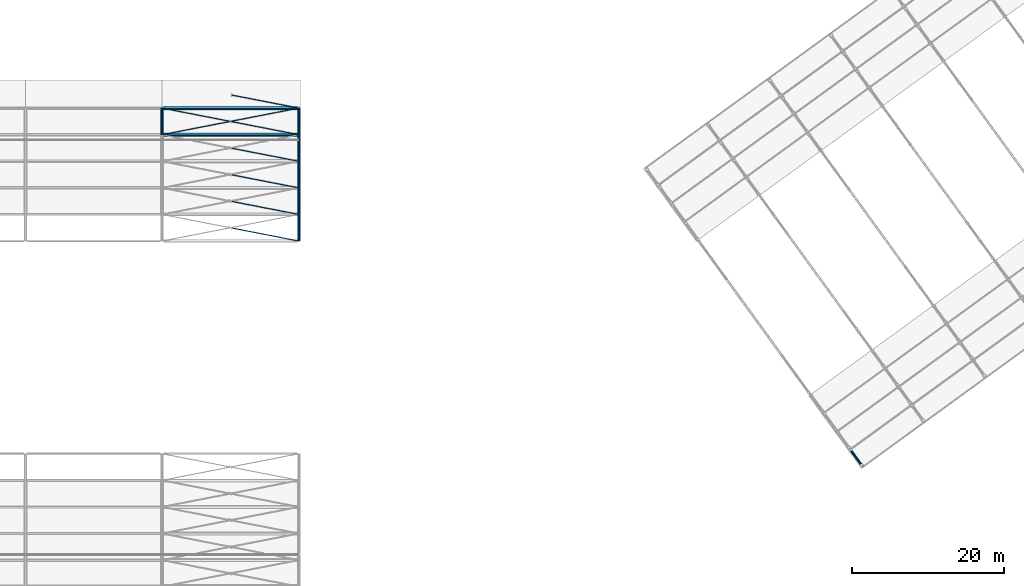
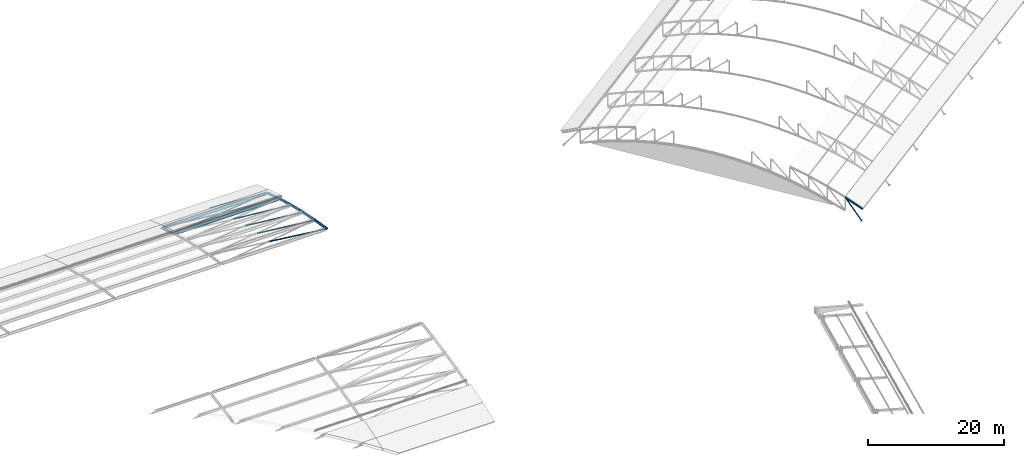
# One storey, part 13 of 69: 18 members.
"""IFC4 building model written with IfcOpenShell, lengths in metres."""

from ifc_helpers import new_model, si_unit, direction, frame, origin, origin_2d, place, context, subcontext, project, spatial, hollow_circle, i_section, extrude, material, material_profile, profile_set, type_object, element, save


model = new_model("IFC4")

# Units and contexts
model_context = context("Model", 3, precision=1e-05, world=origin(), true_north=direction((0.0, 1.0)))
body_context = subcontext(model_context, "Body", "Model", "MODEL_VIEW")
ifc_project = project(units=[si_unit("LENGTHUNIT", "METRE"), si_unit("AREAUNIT", "SQUARE_METRE"), si_unit("VOLUMEUNIT", "CUBIC_METRE"), si_unit("PLANEANGLEUNIT", "RADIAN"), si_unit("MASSUNIT", "GRAM", prefix="KILO")], contexts=[model_context])

# Site, building, storey
site_placement = place(None, origin())
site = spatial("IfcSite", under=ifc_project, at=site_placement, CompositionType="ELEMENT")
building_placement = place(site_placement, origin())
building = spatial("IfcBuilding", under=site, at=building_placement, Name="Okhra Congress Centre", CompositionType="ELEMENT")
storey_placement = place(building_placement, frame((0.0, 0.0, 16.800048828125)))
storey = spatial("IfcBuildingStorey", under=building, at=storey_placement, Name="L03", CompositionType="ELEMENT", Elevation=16.800048828125)

# Members
ifc_material_1 = material(Name="Steel S355J2H", Category="steel")
ifc_material_profile_1 = material_profile(ifc_material_1, hollow_circle(Radius=0.06982421875, WallThickness=0.00634765625, at=origin_2d()), Name="CHS 139.7x6.3")
ifc_profile_set_1 = profile_set([ifc_material_profile_1], Name="Steel S355J2H")
member_type_1 = type_object("IfcMemberType", Name="CHS 139.7x6.3", PredefinedType="BRACE", material=ifc_profile_set_1)
member_1_placement = place(storey_placement, frame((153.814453125, 188.0361328125, 4.994384765625), z_axis=(-0.981148388072, 0.190769623937, -0.030899695256), x_axis=(-0.190860761781, -0.981617119661, 0.0)))
element("IfcMember", 1, at=member_1_placement, inside=storey, type_object=member_type_1, Name="EH.MEM.L03.XB7-17-2a", PredefinedType="BRACE", context=body_context, shape_type="SweptSolid", body=[
    extrude(hollow_circle(Radius=0.06982421875, WallThickness=0.00634765625, at=origin_2d()), origin(), (0.0, 0.0, 1.0), 8.817626953125),
])
member_2_placement = place(storey_placement, frame((153.814453125, 191.5361328125, 4.42626953125), z_axis=(-0.980907961626, 0.190723646725, -0.038000807859), x_axis=(-0.190861504377, -0.981616975274, 0.0)))
element("IfcMember", 2, at=member_2_placement, inside=storey, type_object=member_type_1, Name="EH.MEM.L03.XB7-18-2a", PredefinedType="BRACE", context=body_context, shape_type="SweptSolid", body=[
    extrude(hollow_circle(Radius=0.06982421875, WallThickness=0.00634765625, at=origin_2d()), origin(), (0.0, 0.0, 1.0), 8.821044921875),
])
member_3_placement = place(storey_placement, frame((153.814453125, 195.0361328125, 3.7275390625), z_axis=(-0.98061091853, 0.190666660568, -0.045259816699), x_axis=(-0.190862246763, -0.981616830928, 0.0)))
element("IfcMember", 3, at=member_3_placement, inside=storey, type_object=member_type_1, Name="EH.MEM.L03.XB7-19-2a", PredefinedType="BRACE", context=body_context, shape_type="SweptSolid", body=[
    extrude(hollow_circle(Radius=0.06982421875, WallThickness=0.00634765625, at=origin_2d()), origin(), (0.0, 0.0, 1.0), 8.824951171875),
])
member_4_placement = place(storey_placement, frame((153.814453125, 198.5361328125, 2.895263671875), z_axis=(-0.980256075454, 0.190587683076, -0.052672208945), x_axis=(-0.190852614039, -0.981618703833, 0.0)))
element("IfcMember", 4, at=member_4_placement, inside=storey, type_object=member_type_1, Name="EH.MEM.L03.XB7-20-2a", PredefinedType="BRACE", context=body_context, shape_type="SweptSolid", body=[
    extrude(hollow_circle(Radius=0.06982421875, WallThickness=0.00634765625, at=origin_2d()), origin(), (0.0, 0.0, 1.0), 8.829833984375),
])
member_5_placement = place(storey_placement, frame((136.185546875, 202.0361328125, 1.92626953125), z_axis=(0.97982688214, 0.190515862858, -0.06035716225), x_axis=(-0.190863837306, 0.981616521667, 0.0)))
element("IfcMember", 5, at=member_5_placement, inside=storey, type_object=member_type_1, Name="EH.MEM.L03.XB7-21-1", PredefinedType="BRACE", context=body_context, shape_type="SweptSolid", body=[
    extrude(hollow_circle(Radius=0.06982421875, WallThickness=0.00634765625, at=origin_2d()), origin(), (0.0, 0.0, 1.0), 17.991943359375),
])
for number, where, z_axis, x_axis, name in (
    (6, (153.814453125, 202.0361328125, 1.92626953125), (-0.979826295079, 0.190521779599, -0.060348015467), (-0.190869659102, -0.981615389669, 0.0), "EH.MEM.L03.XB7-21-2a"),
    (7, (144.8427734375, 203.780517578125, 1.373779296875), (-0.97982466082, 0.190521461826, -0.060375546641), (-0.190869659102, -0.981615389669, 0.0), "EH.MEM.L03.XB7-21-2b"),
):
    element("IfcMember", number, at=place(storey_placement, frame(where, z_axis=z_axis, x_axis=x_axis)), inside=storey, type_object=member_type_1, Name=name, PredefinedType="BRACE", context=body_context, shape_type="SweptSolid", body=[
        extrude(hollow_circle(Radius=0.06982421875, WallThickness=0.00634765625, at=origin_2d()), origin(), (0.0, 0.0, 1.0), 8.83544921875),
    ])
member_6_placement = place(storey_placement, frame((153.814453125, 205.5361328125, 0.816162109375), z_axis=(-0.979323118912, 0.190430842458, -0.068281205364), x_axis=(-0.190876325854, -0.981614093332, 0.0)))
element("IfcMember", 8, at=member_6_placement, inside=storey, type_object=member_type_1, Name="EH.MEM.L03.XB7-22-2a", PredefinedType="BRACE", context=body_context, shape_type="SweptSolid", body=[
    extrude(hollow_circle(Radius=0.06982421875, WallThickness=0.00634765625, at=origin_2d()), origin(), (0.0, 0.0, 1.0), 8.84228515625),
])
ifc_material_profile_2 = material_profile(ifc_material_1, hollow_circle(Radius=0.096923828125, WallThickness=0.010009765625, at=origin_2d()), Name="CHS 193.7x10")
ifc_profile_set_2 = profile_set([ifc_material_profile_2], Name="Steel S355J2H")
member_type_2 = type_object("IfcMemberType", Name="CHS 193.7x10", PredefinedType="BRACE", material=ifc_profile_set_2)
member_7_placement = place(storey_placement, frame((228.071533203125, 158.502197265625, -1.60595703125), z_axis=(-0.356744311991, 0.491020413212, 0.794753074654), x_axis=(-0.809019266757, -0.587782124615, 0.0)))
element("IfcMember", 9, at=member_7_placement, inside=storey, type_object=member_type_2, Name="Truss 1 diagonal 2", PredefinedType="BRACE", context=body_context, shape_type="SweptSolid", body=[
    extrude(hollow_circle(Radius=0.096923828125, WallThickness=0.010009765625, at=origin_2d()), origin(), (0.0, 0.0, 1.0), 4.052734375),
])
ifc_material_profile_3 = material_profile(ifc_material_1, hollow_circle(Radius=0.161865234375, WallThickness=0.012451171875, at=origin_2d()), Name="CHS 323.9x12.5")
ifc_profile_set_3 = profile_set([ifc_material_profile_3], Name="Steel S355J2H")
member_type_3 = type_object("IfcMemberType", Name="CHS 323.9x12.5", PredefinedType="CHORD", material=ifc_profile_set_3)
member_8_placement = place(storey_placement, frame((228.185302734375, 158.345703125, 0.540771484375), z_axis=(-0.532714364208, 0.733240051348, 0.42258068255), x_axis=(-0.809025240298, -0.587773902586, 0.0)))
element("IfcMember", 10, at=member_8_placement, inside=storey, type_object=member_type_3, Name="Truss 1 top chord 2", PredefinedType="CHORD", context=body_context, shape_type="SweptSolid", body=[
    extrude(hollow_circle(Radius=0.161865234375, WallThickness=0.012451171875, at=origin_2d()), origin(), (0.0, 0.0, 1.0), 3.14111328125),
])
ifc_material_profile_4 = material_profile(ifc_material_1, hollow_circle(Radius=0.203125, WallThickness=0.01611328125, at=origin_2d()), Name="CHS 406.4x16.0")
ifc_profile_set_4 = profile_set([ifc_material_profile_4], Name="Steel S355J2H")
member_type_4 = type_object("IfcMemberType", Name="CHS 406.4x16.0", PredefinedType="CHORD", material=ifc_profile_set_4)
member_9_placement = place(storey_placement, frame((154.0, 188.0, 5.000244140625), z_axis=(0.0, 0.987135453692, -0.159886197229), x_axis=(-1.0, 0.0, 0.0)))
element("IfcMember", 11, at=member_9_placement, inside=storey, type_object=member_type_4, Name="EH.MEM.L03.T8-TOP-17", PredefinedType="CHORD", context=body_context, shape_type="SweptSolid", body=[
    extrude(hollow_circle(Radius=0.203125, WallThickness=0.01611328125, at=origin_2d()), origin(), (0.0, 0.0, 1.0), 3.545654296875),
])
member_10_placement = place(storey_placement, frame((154.0, 191.5, 4.433349609375), z_axis=(0.0, 0.980727743848, -0.19537935522), x_axis=(-1.0, 0.0, 0.0)))
element("IfcMember", 12, at=member_10_placement, inside=storey, type_object=member_type_4, Name="EH.MEM.L03.T8-TOP-18", PredefinedType="CHORD", context=body_context, shape_type="SweptSolid", body=[
    extrude(hollow_circle(Radius=0.203125, WallThickness=0.01611328125, at=origin_2d()), origin(), (0.0, 0.0, 1.0), 3.56884765625),
])
member_11_placement = place(storey_placement, frame((154.0, 195.0, 3.736083984375), z_axis=(0.0, 0.972964008489, -0.230956788566), x_axis=(-1.0, 0.0, 0.0)))
element("IfcMember", 13, at=member_11_placement, inside=storey, type_object=member_type_4, Name="EH.MEM.L03.T8-TOP-19", PredefinedType="CHORD", context=body_context, shape_type="SweptSolid", body=[
    extrude(hollow_circle(Radius=0.203125, WallThickness=0.01611328125, at=origin_2d()), origin(), (0.0, 0.0, 1.0), 3.59716796875),
])
member_12_placement = place(storey_placement, frame((154.0, 198.5, 2.9052734375), z_axis=(0.0, 0.96385043732, -0.266443867404), x_axis=(-1.0, 0.0, 0.0)))
element("IfcMember", 14, at=member_12_placement, inside=storey, type_object=member_type_4, Name="EH.MEM.L03.T8-TOP-20", PredefinedType="CHORD", context=body_context, shape_type="SweptSolid", body=[
    extrude(hollow_circle(Radius=0.203125, WallThickness=0.01611328125, at=origin_2d()), origin(), (0.0, 0.0, 1.0), 3.63134765625),
])
ifc_material_profile_5 = material_profile(ifc_material_1, hollow_circle(Radius=0.203125, WallThickness=0.02490234375, at=origin_2d()), Name="CHS 406.4x25.0")
ifc_profile_set_5 = profile_set([ifc_material_profile_5], Name="Steel S355J2H")
member_type_5 = type_object("IfcMemberType", Name="CHS 406.4x25.0", PredefinedType="CHORD", material=ifc_profile_set_5)
for number, where, z_axis, x_axis, name in (
    (15, (136.0, 202.0, 1.937744140625), (0.0, 0.953317980071, -0.301968258057), (-1.0, 0.0, 0.0), "EH.MEM.L03.T7-TOP-21"),
    (16, (154.0, 202.0, 1.937744140625), (0.0, 0.953317980071, -0.301968258057), (-1.0, 0.0, 0.0), "EH.MEM.L03.T8-TOP-21"),
):
    element("IfcMember", number, at=place(storey_placement, frame(where, z_axis=z_axis, x_axis=x_axis)), inside=storey, type_object=member_type_5, Name=name, PredefinedType="CHORD", context=body_context, shape_type="SweptSolid", body=[
        extrude(hollow_circle(Radius=0.203125, WallThickness=0.02490234375, at=origin_2d()), origin(), (0.0, 0.0, 1.0), 3.67138671875),
    ])
ifc_material_2 = material(Name="Steel S355J2", Category="steel")
ifc_material_profile_6 = material_profile(ifc_material_2, i_section(OverallWidth=0.300048828125, OverallDepth=0.5, WebThickness=0.014404296875, FlangeThickness=0.028076171875, at=origin_2d()), Name="HE 500 B")
ifc_profile_set_6 = profile_set([ifc_material_profile_6], Name="Steel S355J2")
member_type_6 = type_object("IfcMemberType", Name="HE 500 B", PredefinedType="PURLIN", material=ifc_profile_set_6)
for number, where, z_axis, x_axis, name in (
    (17, (136.203125, 202.0, 1.937744140625), (1.0, 0.0, 0.0), (0.0, 0.958742588403, -0.284275657035), "EH.MEM.L03.PU7-21"),
    (18, (136.203125, 205.5, 0.8291015625), (1.0, 0.0, 0.0), (0.0, 0.94748076881, -0.319812746362), "EH.MEM.L03.PU7-22"),
):
    element("IfcMember", number, at=place(storey_placement, frame(where, z_axis=z_axis, x_axis=x_axis)), inside=storey, type_object=member_type_6, Name=name, PredefinedType="PURLIN", context=body_context, shape_type="SweptSolid", body=[
        extrude(i_section(OverallWidth=0.300048828125, OverallDepth=0.5, WebThickness=0.014404296875, FlangeThickness=0.028076171875, at=origin_2d()), origin(), (0.0, 0.0, 1.0), 17.59375),
    ])

save(model, "model.ifc")
